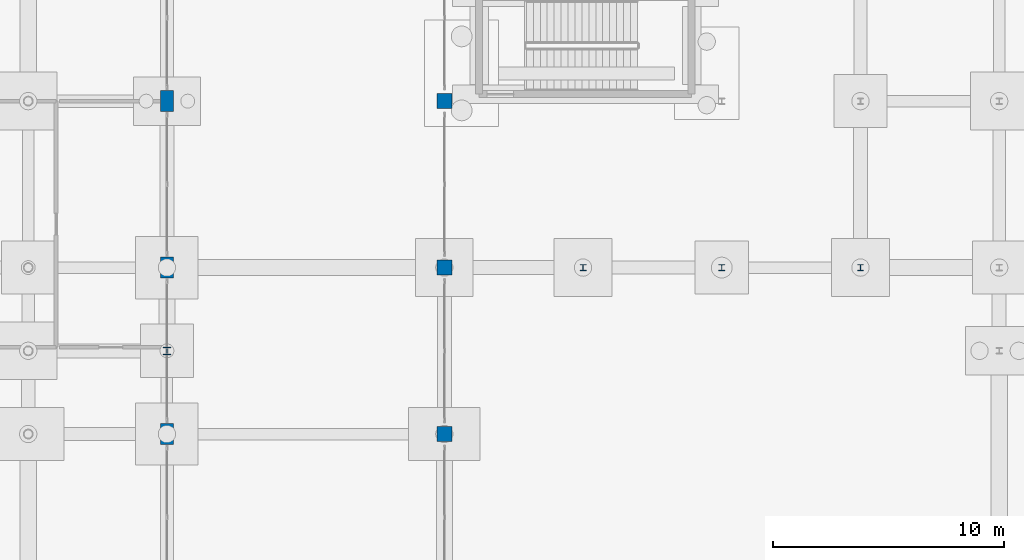
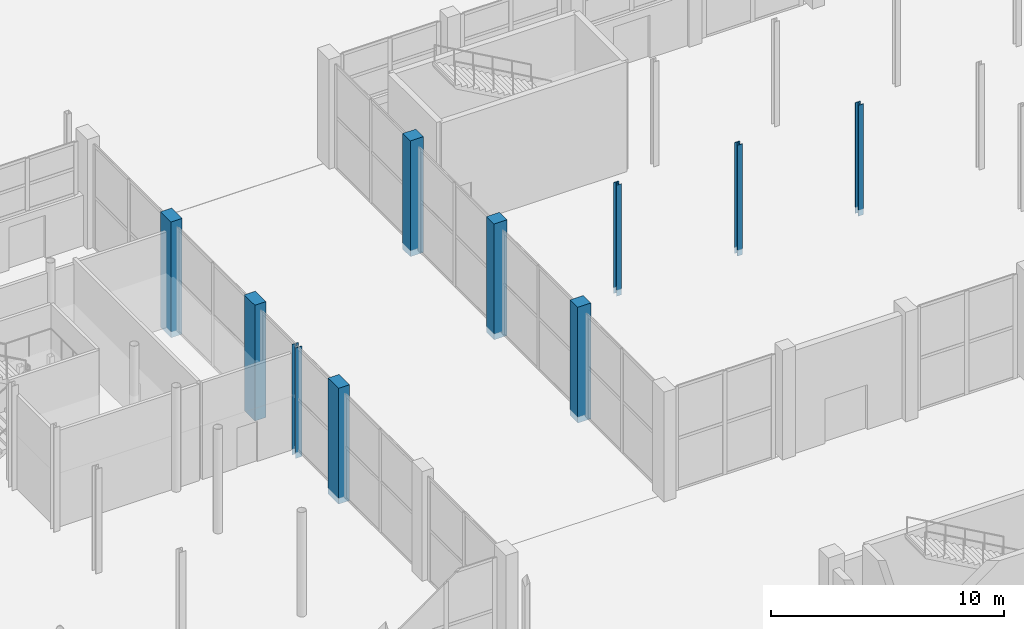
# One storey, part 29 of 103: 10 columns.
"""IFC4 building model written with IfcOpenShell, lengths in metres."""

from ifc_helpers import new_model, si_unit, direction, frame, origin, origin_2d, place, context, subcontext, project, spatial, rectangle, i_section, extrude, material, material_profile, profile_set, type_object, element, save


model = new_model("IFC4")

# Units and contexts
model_context = context("Model", 3, precision=1e-05, world=origin(), true_north=direction((0.0, 1.0)))
body_context = subcontext(model_context, "Body", "Model", "MODEL_VIEW")
ifc_project = project(units=[si_unit("LENGTHUNIT", "METRE"), si_unit("AREAUNIT", "SQUARE_METRE"), si_unit("VOLUMEUNIT", "CUBIC_METRE"), si_unit("PLANEANGLEUNIT", "RADIAN"), si_unit("MASSUNIT", "GRAM", prefix="KILO")], contexts=[model_context])

# Site, building, storey
site_placement = place(None, origin())
site = spatial("IfcSite", under=ifc_project, at=site_placement, CompositionType="ELEMENT")
building_placement = place(site_placement, origin())
building = spatial("IfcBuilding", under=site, at=building_placement, Name="Dunvalen Ferry Terminal", CompositionType="ELEMENT")
storey_placement = place(building_placement, origin())
storey = spatial("IfcBuildingStorey", under=building, at=storey_placement, Name="L00", CompositionType="ELEMENT", Elevation=0.0)

# Columns
ifc_material_1 = material(Name="Concrete C40/50", Category="concrete")
ifc_material_profile_1 = material_profile(ifc_material_1, rectangle(XDim=0.550048828125, YDim=0.89990234375, at=origin_2d()), Name="Concrete C40/50")
ifc_profile_set_1 = profile_set([ifc_material_profile_1], Name="Concrete C40/50")
column_type_1 = type_object("IfcColumnType", Name="STR-COL-PIER900", PredefinedType="COLUMN", material=ifc_profile_set_1)
for number, where, z_axis, x_axis, name in (
    (1, (96.0, 64.800048828125, -0.320068359375), (0.0, 0.0, 1.0), (1.0, 0.0, 0.0), "L00 Departure Hall Perimeter Pier 36"),
    (2, (96.0, 72.0, -0.320068359375), (0.0, 0.0, 1.0), (1.0, 0.0, 0.0), "L00 Departure Hall Perimeter Pier 37"),
    (3, (96.0, 79.199951171875, -0.320068359375), (0.0, 0.0, 1.0), (1.0, 0.0, 0.0), "L00 Departure Hall Perimeter Pier 38"),
):
    element("IfcColumn", number, at=place(storey_placement, frame(where, z_axis=z_axis, x_axis=x_axis)), inside=storey, type_object=column_type_1, Name=name, PredefinedType="COLUMN", context=body_context, shape_type="SweptSolid", body=[
        extrude(rectangle(XDim=0.550048828125, YDim=0.89990234375, at=origin_2d()), origin(), (0.0, 0.0, 1.0), 6.080078125),
    ])
ifc_material_profile_2 = material_profile(ifc_material_1, rectangle(XDim=0.64990234375, YDim=0.64990234375, at=origin_2d()), Name="Concrete C40/50")
ifc_profile_set_2 = profile_set([ifc_material_profile_2], Name="Concrete C40/50")
column_type_2 = type_object("IfcColumnType", Name="STR-COL-RC650", PredefinedType="COLUMN", material=ifc_profile_set_2)
for number, where, z_axis, x_axis, name in (
    (4, (108.0, 64.800048828125, -0.320068359375), (0.0, 0.0, 1.0), (1.0, 0.0, 0.0), "L00 Arrivals Hall Pier 23"),
    (5, (108.0, 72.0, -0.320068359375), (0.0, 0.0, 1.0), (1.0, 0.0, 0.0), "L00 Arrivals Hall Pier 24"),
    (6, (108.0, 79.199951171875, -0.320068359375), (0.0, 0.0, 1.0), (1.0, 0.0, 0.0), "L00 Arrivals Hall Pier 25"),
):
    element("IfcColumn", number, at=place(storey_placement, frame(where, z_axis=z_axis, x_axis=x_axis)), inside=storey, type_object=column_type_2, Name=name, PredefinedType="COLUMN", context=body_context, shape_type="SweptSolid", body=[
        extrude(rectangle(XDim=0.64990234375, YDim=0.64990234375, at=origin_2d()), origin(), (0.0, 0.0, 1.0), 6.080078125),
    ])
ifc_material_2 = material(Name="Steel S355", Category="steel")
ifc_material_profile_3 = material_profile(ifc_material_2, i_section(OverallWidth=0.25634765625, OverallDepth=0.26025390625, WebThickness=0.01025390625, FlangeThickness=0.017333984375, FilletRadius=0.0126953125, at=origin_2d()), Name="Steel S355")
ifc_profile_set_3 = profile_set([ifc_material_profile_3], Name="Steel S355")
column_type_3 = type_object("IfcColumnType", Name="STR-COL-UKC254", PredefinedType="COLUMN", material=ifc_profile_set_3)
for number, where, z_axis, x_axis, name in (
    (7, (114.0, 72.0, -0.320068359375), (0.0, 0.0, 1.0), (1.0, 0.0, 0.0), "L00 Immigration Mezzanine Column 114-72"),
    (8, (120.0, 72.0, -0.320068359375), (0.0, 0.0, 1.0), (1.0, 0.0, 0.0), "L00 Immigration Mezzanine Column 120-72"),
    (9, (126.0, 72.0, -0.320068359375), (0.0, 0.0, 1.0), (1.0, 0.0, 0.0), "L00 Immigration Mezzanine Column 126-72"),
):
    element("IfcColumn", number, at=place(storey_placement, frame(where, z_axis=z_axis, x_axis=x_axis)), inside=storey, type_object=column_type_3, Name=name, PredefinedType="COLUMN", context=body_context, shape_type="SweptSolid", body=[
        extrude(i_section(OverallWidth=0.25634765625, OverallDepth=0.26025390625, WebThickness=0.01025390625, FlangeThickness=0.017333984375, FilletRadius=0.0126953125, at=origin_2d()), origin(), (0.0, 0.0, 1.0), 5.820068359375),
    ])
ifc_material_profile_4 = material_profile(ifc_material_2, i_section(OverallWidth=0.30908203125, OverallDepth=0.320556640625, WebThickness=0.013916015625, FlangeThickness=0.021728515625, FilletRadius=0.01513671875, at=origin_2d()), Name="Steel S355")
ifc_profile_set_4 = profile_set([ifc_material_profile_4], Name="Steel S355")
column_type_4 = type_object("IfcColumnType", Name="STR-COL-UKC305", PredefinedType="COLUMN", material=ifc_profile_set_4)
column_placement = place(storey_placement, frame((96.0, 68.39990234375, -0.320068359375), z_axis=(0.0, 0.0, 1.0), x_axis=(1.0, 0.0, 0.0)))
element("IfcColumn", 10, at=column_placement, inside=storey, type_object=column_type_4, Name="L00 Waiting Lounge Mezzanine Column 96-68", PredefinedType="COLUMN", context=body_context, shape_type="SweptSolid", body=[
    extrude(i_section(OverallWidth=0.30908203125, OverallDepth=0.320556640625, WebThickness=0.013916015625, FlangeThickness=0.021728515625, FilletRadius=0.01513671875, at=origin_2d()), origin(), (0.0, 0.0, 1.0), 5.800048828125),
])

save(model, "model.ifc")
